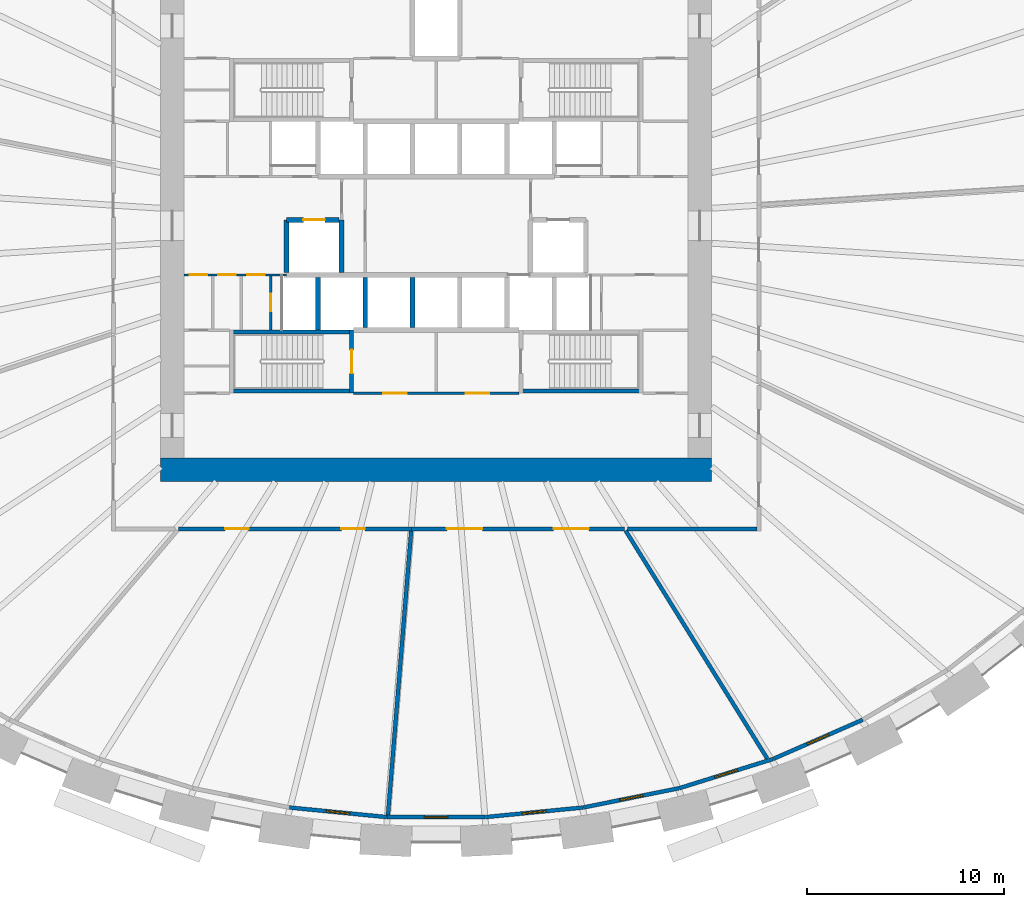
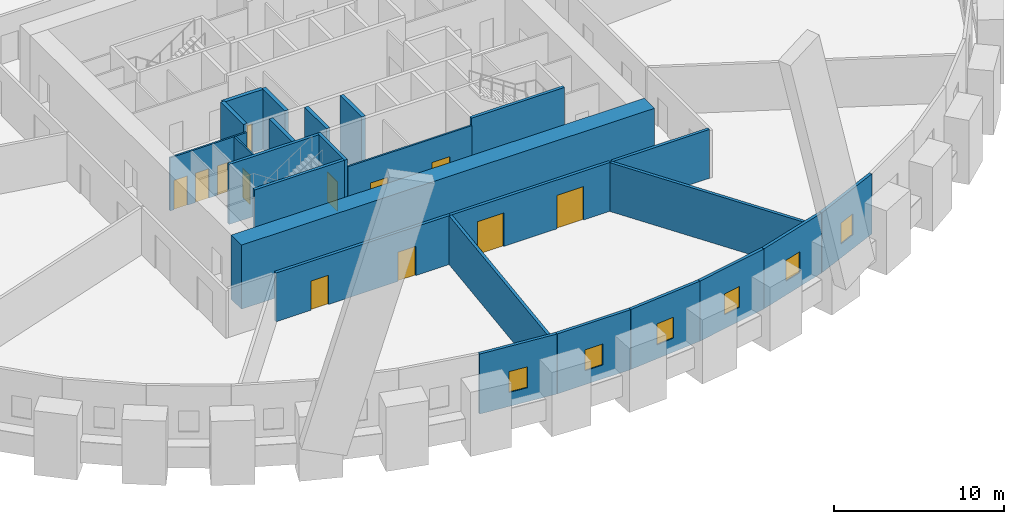
# One storey, part 4 of 9: 25 walls, 12 doors, 6 windows, 18 openings.
"""IFC4 building model written with IfcOpenShell, lengths in metres."""

from ifc_helpers import new_model, si_unit, direction, frame, frame_2d, origin, place, context, subcontext, project, spatial, rectangle, extrude, source, transform, mapped, material, layer, layer_set, type_object, element, fill, save


model = new_model("IFC4")

# Units and contexts
model_context = context("Model", 3, precision=1e-05, world=origin(), true_north=direction((0.0, 1.0)))
body_context = subcontext(model_context, "Body", "Model", "MODEL_VIEW")
ifc_project = project(units=[si_unit("LENGTHUNIT", "METRE"), si_unit("AREAUNIT", "SQUARE_METRE"), si_unit("VOLUMEUNIT", "CUBIC_METRE"), si_unit("PLANEANGLEUNIT", "RADIAN"), si_unit("MASSUNIT", "GRAM", prefix="KILO")], contexts=[model_context])

# Site, building, storey
site_placement = place(None, origin())
site = spatial("IfcSite", under=ifc_project, at=site_placement, CompositionType="ELEMENT")
building_placement = place(site_placement, origin())
building = spatial("IfcBuilding", under=site, at=building_placement, Name="Embergate Tower", CompositionType="ELEMENT")
storey_placement = place(building_placement, frame((0.0, 0.0, 53.60009765625)))
storey = spatial("IfcBuildingStorey", under=building, at=storey_placement, Name="L09", CompositionType="ELEMENT", Elevation=53.60009765625)

# Wall
ifc_material_1 = material(Name="Concrete C80", Category="concrete")
ifc_layer_1 = layer(ifc_material_1, 1.199951171875)
ifc_layer_set_1 = layer_set([ifc_layer_1], Name="Concrete C80")
wall_type_1 = type_object("IfcWallType", Name="Core outer wall C80 1200", PredefinedType="SHEAR", material=ifc_layer_set_1)
shared_shape_1 = source(origin(), body_context, "Body", "SweptSolid", [
    extrude(rectangle(XDim=28.0, YDim=1.199951171875, at=frame_2d((14.0, 0.0))), origin(), (0.0, 0.0, 1.0), 4.599853515625),
])
wall_1_placement = place(storey_placement, frame((-14.0, -12.39990234375, -0.300048828125), z_axis=(0.0, 0.0, 1.0), x_axis=(1.0, 0.0, 0.0)))
element("IfcWall", 1, at=wall_1_placement, inside=storey, type_object=wall_type_1, Name="CW-L09-S", PredefinedType="SHEAR", context=body_context, shape_type="MappedRepresentation", body=[
    mapped(shared_shape_1, transform((0.0, 0.0, 0.0))),
])

# Wall, opening, window
ifc_material_2 = material(Name="Terracotta louvre cladding on insulated backing", Category="masonry")
ifc_layer_2 = layer(ifc_material_2, 0.199951171875)
ifc_layer_set_2 = layer_set([ifc_layer_2], Name="Terracotta louvre cladding on insulated backing")
wall_type_2 = type_object("IfcWallType", Name="Terracotta louvre wall", PredefinedType="SOLIDWALL", material=ifc_layer_set_2)
shared_shape_2 = source(origin(), body_context, "Body", "SweptSolid", [
    extrude(rectangle(XDim=4.96240234375, YDim=0.199951171875, at=frame_2d((2.481201171875, 0.0))), origin(), (0.0, 0.0, 1.0), 4.2998046875),
])
wall_2_placement = place(storey_placement, frame((21.66650390625, -25.099609375, 0.0), z_axis=(0.0, 0.0, 1.0), x_axis=(-0.916221684268, -0.40067171759, 0.0)))
wall_2 = element("IfcWall", 2, at=wall_2_placement, inside=storey, type_object=wall_type_2, Name="Louvre wall 37", PredefinedType="SOLIDWALL", context=body_context, shape_type="MappedRepresentation", body=[
    mapped(shared_shape_2, transform((0.0, 0.0, 0.0))),
])
shared_shape_3 = source(origin(), body_context, "Body", "SweptSolid", [
    extrude(rectangle(XDim=1.199951171875, YDim=1.5, at=frame_2d((0.60009765625, 0.75))), frame((0.0, 0.10986328125, 0.0), z_axis=(0.0, -1.0, 0.0), x_axis=(1.0, 0.0, 0.0)), (0.0, 0.0, 1.0), 0.219970703125),
])
opening_1_placement = place(wall_2_placement, frame((1.881103515625, 0.0, 1.0)))
opening_1 = element("IfcOpeningElement", 3, at=opening_1_placement, cuts=wall_2, Name="Opening RW", PredefinedType="OPENING", context=body_context, shape_type="MappedRepresentation", body=[
    mapped(shared_shape_3, transform((0.0, 0.0, 0.0))),
])
ifc_material_3 = material(Name="Aluminium, thermally broken, triple glazed", Category="aluminium")
window_type = type_object("IfcWindowType", Name="Refuge operable window", PartitioningType="SINGLE_PANEL", PredefinedType="WINDOW", material=ifc_material_3)
shared_shape_4 = source(origin(), body_context, "Body", "SweptSolid", [
    extrude(rectangle(XDim=1.199951171875, YDim=1.5, at=frame_2d((0.60009765625, 0.75))), frame((0.0, 0.030029296875, 0.0), z_axis=(0.0, -1.0, 0.0), x_axis=(1.0, 0.0, 0.0)), (0.0, 0.0, 1.0), 0.06005859375),
])
window_1_placement = place(opening_1_placement, origin())
window_1 = element("IfcWindow", 4, at=window_1_placement, inside=storey, type_object=window_type, Name="Refuge window 37", OverallHeight=1.5, OverallWidth=1.199951171875, PartitioningType="SINGLE_PANEL", PredefinedType="WINDOW", context=body_context, shape_type="MappedRepresentation", body=[
    mapped(shared_shape_4, transform((0.0, 0.0, 0.0))),
])
fill(opening_1, window_1)

shared_shape_5 = source(origin(), body_context, "Body", "SweptSolid", [
    extrude(rectangle(XDim=4.965576171875, YDim=0.199951171875, at=frame_2d((2.48291015625, 0.0))), origin(), (0.0, 0.0, 1.0), 4.2998046875),
])
wall_3_placement = place(storey_placement, frame((17.10107421875, -27.0947265625, 0.0), z_axis=(0.0, 0.0, 1.0), x_axis=(-0.954765614981, -0.297359412916, 0.0)))
wall_3 = element("IfcWall", 5, at=wall_3_placement, inside=storey, type_object=wall_type_2, Name="Louvre wall 36", PredefinedType="SOLIDWALL", context=body_context, shape_type="MappedRepresentation", body=[
    mapped(shared_shape_5, transform((0.0, 0.0, 0.0))),
])
opening_2_placement = place(wall_3_placement, frame((1.8828125, 0.0, 1.0)))
opening_2 = element("IfcOpeningElement", 6, at=opening_2_placement, cuts=wall_3, Name="Opening RW", PredefinedType="OPENING", context=body_context, shape_type="MappedRepresentation", body=[
    mapped(shared_shape_3, transform((0.0, 0.0, 0.0))),
])
window_2_placement = place(opening_2_placement, origin())
window_2 = element("IfcWindow", 7, at=window_2_placement, inside=storey, type_object=window_type, Name="Refuge window 36", OverallHeight=1.5, OverallWidth=1.199951171875, PartitioningType="SINGLE_PANEL", PredefinedType="WINDOW", context=body_context, shape_type="MappedRepresentation", body=[
    mapped(shared_shape_4, transform((0.0, 0.0, 0.0))),
])
fill(opening_2, window_2)

shared_shape_6 = source(origin(), body_context, "Body", "SweptSolid", [
    extrude(rectangle(XDim=4.9677734375, YDim=0.199951171875, at=frame_2d((2.48388671875, 0.0))), origin(), (0.0, 0.0, 1.0), 4.2998046875),
])
wall_4_placement = place(storey_placement, frame((12.3408203125, -28.576171875, 0.0), z_axis=(0.0, 0.0, 1.0), x_axis=(-0.980478473898, -0.196626453515, 0.0)))
wall_4 = element("IfcWall", 8, at=wall_4_placement, inside=storey, type_object=wall_type_2, Name="Louvre wall 35", PredefinedType="SOLIDWALL", context=body_context, shape_type="MappedRepresentation", body=[
    mapped(shared_shape_6, transform((0.0, 0.0, 0.0))),
])
opening_3_placement = place(wall_4_placement, frame((1.8837890625, 0.0, 1.0)))
opening_3 = element("IfcOpeningElement", 9, at=opening_3_placement, cuts=wall_4, Name="Opening RW", PredefinedType="OPENING", context=body_context, shape_type="MappedRepresentation", body=[
    mapped(shared_shape_3, transform((0.0, 0.0, 0.0))),
])
window_3_placement = place(opening_3_placement, origin())
window_3 = element("IfcWindow", 10, at=window_3_placement, inside=storey, type_object=window_type, Name="Refuge window 35", OverallHeight=1.5, OverallWidth=1.199951171875, PartitioningType="SINGLE_PANEL", PredefinedType="WINDOW", context=body_context, shape_type="MappedRepresentation", body=[
    mapped(shared_shape_4, transform((0.0, 0.0, 0.0))),
])
fill(opening_3, window_3)

shared_shape_7 = source(origin(), body_context, "Body", "SweptSolid", [
    extrude(rectangle(XDim=4.96923828125, YDim=0.199951171875, at=frame_2d((2.484619140625, 0.0))), origin(), (0.0, 0.0, 1.0), 4.2998046875),
])
wall_5_placement = place(storey_placement, frame((-2.5048828125, -30.0419921875, 0.0), z_axis=(0.0, 0.0, 1.0), x_axis=(-0.995204077975, 0.097820464023, 0.0)))
wall_5 = element("IfcWall", 11, at=wall_5_placement, inside=storey, type_object=wall_type_2, Name="Louvre wall 32", PredefinedType="SOLIDWALL", context=body_context, shape_type="MappedRepresentation", body=[
    mapped(shared_shape_7, transform((0.0, 0.0, 0.0))),
])
opening_4_placement = place(wall_5_placement, frame((1.884521484375, 0.0, 1.0)))
opening_4 = element("IfcOpeningElement", 12, at=opening_4_placement, cuts=wall_5, Name="Opening RW", PredefinedType="OPENING", context=body_context, shape_type="MappedRepresentation", body=[
    mapped(shared_shape_3, transform((0.0, 0.0, 0.0))),
])
window_4_placement = place(opening_4_placement, origin())
window_4 = element("IfcWindow", 13, at=window_4_placement, inside=storey, type_object=window_type, Name="Refuge window 32", OverallHeight=1.5, OverallWidth=1.199951171875, PartitioningType="SINGLE_PANEL", PredefinedType="WINDOW", context=body_context, shape_type="MappedRepresentation", body=[
    mapped(shared_shape_4, transform((0.0, 0.0, 0.0))),
])
fill(opening_4, window_4)

wall_6_placement = place(storey_placement, frame((7.4501953125, -29.555908203125, 0.0), z_axis=(0.0, 0.0, 1.0), x_axis=(-0.995204077975, -0.097820464023, 0.0)))
wall_6 = element("IfcWall", 14, at=wall_6_placement, inside=storey, type_object=wall_type_2, Name="Louvre wall 34", PredefinedType="SOLIDWALL", context=body_context, shape_type="MappedRepresentation", body=[
    mapped(shared_shape_7, transform((0.0, 0.0, 0.0))),
])
opening_5_placement = place(wall_6_placement, frame((1.884521484375, 0.0, 1.0)))
opening_5 = element("IfcOpeningElement", 15, at=opening_5_placement, cuts=wall_6, Name="Opening RW", PredefinedType="OPENING", context=body_context, shape_type="MappedRepresentation", body=[
    mapped(shared_shape_3, transform((0.0, 0.0, 0.0))),
])
window_5_placement = place(opening_5_placement, origin())
window_5 = element("IfcWindow", 16, at=window_5_placement, inside=storey, type_object=window_type, Name="Refuge window 34", OverallHeight=1.5, OverallWidth=1.199951171875, PartitioningType="SINGLE_PANEL", PredefinedType="WINDOW", context=body_context, shape_type="MappedRepresentation", body=[
    mapped(shared_shape_4, transform((0.0, 0.0, 0.0))),
])
fill(opening_5, window_5)

shared_shape_8 = source(origin(), body_context, "Body", "SweptSolid", [
    extrude(rectangle(XDim=4.9697265625, YDim=0.199951171875, at=frame_2d((2.48486328125, 0.0))), origin(), (0.0, 0.0, 1.0), 4.2998046875),
])
wall_7_placement = place(storey_placement, frame((2.48486328125, -30.043212890625, 0.0), z_axis=(0.0, 0.0, 1.0), x_axis=(-1.0, 0.0, 0.0)))
wall_7 = element("IfcWall", 17, at=wall_7_placement, inside=storey, type_object=wall_type_2, Name="Louvre wall 33", PredefinedType="SOLIDWALL", context=body_context, shape_type="MappedRepresentation", body=[
    mapped(shared_shape_8, transform((0.0, 0.0, 0.0))),
])
opening_6_placement = place(wall_7_placement, frame((1.884765625, 0.0, 1.0)))
opening_6 = element("IfcOpeningElement", 18, at=opening_6_placement, cuts=wall_7, Name="Opening RW", PredefinedType="OPENING", context=body_context, shape_type="MappedRepresentation", body=[
    mapped(shared_shape_3, transform((0.0, 0.0, 0.0))),
])
window_6_placement = place(opening_6_placement, origin())
window_6 = element("IfcWindow", 19, at=window_6_placement, inside=storey, type_object=window_type, Name="Refuge window 33", OverallHeight=1.5, OverallWidth=1.199951171875, PartitioningType="SINGLE_PANEL", PredefinedType="WINDOW", context=body_context, shape_type="MappedRepresentation", body=[
    mapped(shared_shape_4, transform((0.0, 0.0, 0.0))),
])
fill(opening_6, window_6)

# Walls
ifc_material_4 = material(Name="Concrete C50", Category="concrete")
ifc_layer_3 = layer(ifc_material_4, 0.25)
ifc_layer_set_3 = layer_set([ifc_layer_3], Name="Concrete C50")
wall_type_3 = type_object("IfcWallType", Name="Hoistway wall reinforced concrete 250", PredefinedType="SHEAR", material=ifc_layer_set_3)
shared_shape_9 = source(origin(), body_context, "Body", "SweptSolid", [
    extrude(rectangle(XDim=2.675048828125, YDim=0.25, at=frame_2d((1.33740234375, 0.0))), origin(), (0.0, 0.0, 1.0), 4.2998046875),
])
for number, where, z_axis, x_axis, name in (
    (20, (-6.0, -5.300048828125, 0.0), (0.0, 0.0, 1.0), (0.0, 1.0, 0.0), "HW-1 wall"),
    (21, (-4.800048828125, 0.300048828125, 0.0), (0.0, 0.0, 1.0), (0.0, -1.0, 0.0), "HW-1 wall"),
):
    element("IfcWall", number, at=place(storey_placement, frame(where, z_axis=z_axis, x_axis=x_axis)), inside=storey, type_object=wall_type_3, Name=name, PredefinedType="SHEAR", context=body_context, shape_type="MappedRepresentation", body=[
        mapped(shared_shape_9, transform((0.0, 0.0, 0.0))),
    ])

# Wall, opening, door
wall_8_placement = place(storey_placement, frame((-4.925048828125, 0.300048828125, 0.0), z_axis=(0.0, 0.0, 1.0), x_axis=(-1.0, 0.0, 0.0)))
wall_8 = element("IfcWall", 22, at=wall_8_placement, inside=storey, type_object=wall_type_3, Name="HW-1 wall", PredefinedType="SHEAR", context=body_context, shape_type="MappedRepresentation", body=[
    mapped(shared_shape_9, transform((0.0, 0.0, 0.0))),
])
shared_shape_10 = source(origin(), body_context, "Body", "SweptSolid", [
    extrude(rectangle(XDim=1.10009765625, YDim=2.10009765625, at=frame_2d((0.550048828125, 1.050048828125))), frame((0.0, 0.135009765625, 0.0), z_axis=(0.0, -1.0, 0.0), x_axis=(1.0, 0.0, 0.0)), (0.0, 0.0, 1.0), 0.27001953125),
])
opening_7_placement = place(wall_8_placement, frame((0.72509765625, 0.0, 0.0)))
opening_7 = element("IfcOpeningElement", 23, at=opening_7_placement, cuts=wall_8, Name="Opening LD", PredefinedType="OPENING", context=body_context, shape_type="MappedRepresentation", body=[
    mapped(shared_shape_10, transform((0.0, 0.0, 0.0))),
])
ifc_material_5 = material(Name="Landing door sliding 1100")
door_type_1 = type_object("IfcDoorType", Name="Landing door sliding 1100", OperationType="SLIDING_TO_LEFT", PredefinedType="DOOR", material=ifc_material_5)
shared_shape_11 = source(origin(), body_context, "Body", "SweptSolid", [
    extrude(rectangle(XDim=1.10009765625, YDim=2.10009765625, at=frame_2d((0.550048828125, 1.050048828125))), frame((0.0, 0.02490234375, 0.0), z_axis=(0.0, -1.0, 0.0), x_axis=(1.0, 0.0, 0.0)), (0.0, 0.0, 1.0), 0.050048828125),
])
door_1_placement = place(opening_7_placement, origin())
door_1 = element("IfcDoor", 24, at=door_1_placement, inside=storey, type_object=door_type_1, Name="LD door", OperationType="SLIDING_TO_RIGHT", OverallHeight=2.10009765625, OverallWidth=1.10009765625, PredefinedType="DOOR", context=body_context, shape_type="MappedRepresentation", body=[
    mapped(shared_shape_11, transform((0.0, 0.0, 0.0))),
])
fill(opening_7, door_1)

# Walls
wall_9_placement = place(storey_placement, frame((-7.60009765625, 0.300048828125, 0.0), z_axis=(0.0, 0.0, 1.0), x_axis=(0.0, -1.0, 0.0)))
element("IfcWall", 25, at=wall_9_placement, inside=storey, type_object=wall_type_3, Name="HW-1 wall", PredefinedType="SHEAR", context=body_context, shape_type="MappedRepresentation", body=[
    mapped(shared_shape_9, transform((0.0, 0.0, 0.0))),
])
ifc_layer_4 = layer(ifc_material_4, 0.199951171875)
ifc_layer_set_4 = layer_set([ifc_layer_4], Name="Concrete C50")
wall_type_4 = type_object("IfcWallType", Name="Stair enclosure wall reinforced concrete 250", PredefinedType="SHEAR", material=ifc_layer_set_4)
shared_shape_12 = source(origin(), body_context, "Body", "SweptSolid", [
    extrude(rectangle(XDim=6.300048828125, YDim=0.199951171875, at=frame_2d((3.14990234375, 0.0))), origin(), (0.0, 0.0, 1.0), 4.2998046875),
])
for number, where, z_axis, x_axis, name in (
    (26, (-10.5, -5.39990234375, 0.0), (0.0, 0.0, 1.0), (1.0, 0.0, 0.0), "SE-1 wall"),
    (27, (-10.5, -8.39990234375, 0.0), (0.0, 0.0, 1.0), (1.0, 0.0, 0.0), "SE-1 wall"),
    (28, (4.199951171875, -8.39990234375, 0.0), (0.0, 0.0, 1.0), (1.0, 0.0, 0.0), "SE-1 wall"),
):
    element("IfcWall", number, at=place(storey_placement, frame(where, z_axis=z_axis, x_axis=x_axis)), inside=storey, type_object=wall_type_4, Name=name, PredefinedType="SHEAR", context=body_context, shape_type="MappedRepresentation", body=[
        mapped(shared_shape_12, transform((0.0, 0.0, 0.0))),
    ])

# Wall, opening, door
ifc_material_6 = material(Name="Core partition blockwork 120")
ifc_layer_5 = layer(ifc_material_6, 0.1201171875)
ifc_layer_set_5 = layer_set([ifc_layer_5], Name="Core partition blockwork 120")
wall_type_5 = type_object("IfcWallType", Name="Core partition blockwork 120", PredefinedType="PARTITIONING", material=ifc_layer_set_5)
shared_shape_13 = source(origin(), body_context, "Body", "SweptSolid", [
    extrude(rectangle(XDim=2.739990234375, YDim=0.1201171875, at=frame_2d((1.3701171875, 0.0))), origin(), (0.0, 0.0, 1.0), 3.7998046875),
])
wall_10_placement = place(storey_placement, frame((-8.39990234375, -2.56005859375, 0.0), z_axis=(0.0, 0.0, 1.0), x_axis=(0.0, -1.0, 0.0)))
wall_10 = element("IfcWall", 29, at=wall_10_placement, inside=storey, type_object=wall_type_5, Name="IP-3 wall", PredefinedType="PARTITIONING", context=body_context, shape_type="MappedRepresentation", body=[
    mapped(shared_shape_13, transform((0.0, 0.0, 0.0))),
])
shared_shape_14 = source(origin(), body_context, "Body", "SweptSolid", [
    extrude(rectangle(XDim=0.89990234375, YDim=2.10009765625, at=frame_2d((0.449951171875, 1.050048828125))), frame((0.0, 0.070068359375, 0.0), z_axis=(0.0, -1.0, 0.0), x_axis=(1.0, 0.0, 0.0)), (0.0, 0.0, 1.0), 0.14013671875),
])
opening_8_placement = place(wall_10_placement, frame((0.889892578125, 0.0, 0.0)))
opening_8 = element("IfcOpeningElement", 30, at=opening_8_placement, cuts=wall_10, Name="Opening ID-1", PredefinedType="OPENING", context=body_context, shape_type="MappedRepresentation", body=[
    mapped(shared_shape_14, transform((0.0, 0.0, 0.0))),
])
ifc_material_7 = material(Name="Interior door 900")
door_type_2 = type_object("IfcDoorType", Name="Interior door 900", OperationType="SINGLE_SWING_LEFT", PredefinedType="DOOR", material=ifc_material_7)
shared_shape_15 = source(origin(), body_context, "Body", "SweptSolid", [
    extrude(rectangle(XDim=0.89990234375, YDim=2.10009765625, at=frame_2d((0.449951171875, 1.050048828125))), frame((0.0, 0.02490234375, 0.0), z_axis=(0.0, -1.0, 0.0), x_axis=(1.0, 0.0, 0.0)), (0.0, 0.0, 1.0), 0.050048828125),
])
door_2_placement = place(opening_8_placement, origin())
door_2 = element("IfcDoor", 31, at=door_2_placement, inside=storey, type_object=door_type_2, Name="ID-1 door", OperationType="SINGLE_SWING_RIGHT", OverallHeight=2.10009765625, OverallWidth=0.89990234375, PredefinedType="DOOR", context=body_context, shape_type="MappedRepresentation", body=[
    mapped(shared_shape_15, transform((0.0, 0.0, 0.0))),
])
fill(opening_8, door_2)

# Walls
shared_shape_16 = source(origin(), body_context, "Body", "SweptSolid", [
    extrude(rectangle(XDim=2.550048828125, YDim=0.25, at=frame_2d((1.27490234375, 0.0))), origin(), (0.0, 0.0, 1.0), 4.2998046875),
])
for number, where, z_axis, x_axis, name in (
    (32, (-3.60009765625, -5.175048828125, 0.0), (0.0, 0.0, 1.0), (0.0, 1.0, 0.0), "HW-1 wall"),
    (33, (-1.199951171875, -5.175048828125, 0.0), (0.0, 0.0, 1.0), (0.0, 1.0, 0.0), "HW-1 wall"),
):
    element("IfcWall", number, at=place(storey_placement, frame(where, z_axis=z_axis, x_axis=x_axis)), inside=storey, type_object=wall_type_3, Name=name, PredefinedType="SHEAR", context=body_context, shape_type="MappedRepresentation", body=[
        mapped(shared_shape_16, transform((0.0, 0.0, 0.0))),
    ])

# Wall, openings, doors
shared_shape_17 = source(origin(), body_context, "Body", "SweptSolid", [
    extrude(rectangle(XDim=5.199951171875, YDim=0.1201171875, at=frame_2d((2.60009765625, 0.0))), origin(), (0.0, 0.0, 1.0), 3.7998046875),
])
wall_11_placement = place(storey_placement, frame((-7.60009765625, -2.5, 0.0), z_axis=(0.0, 0.0, 1.0), x_axis=(-1.0, 0.0, 0.0)))
wall_11 = element("IfcWall", 34, at=wall_11_placement, inside=storey, type_object=wall_type_5, Name="IP-3 wall", PredefinedType="PARTITIONING", context=body_context, shape_type="MappedRepresentation", body=[
    mapped(shared_shape_17, transform((0.0, 0.0, 0.0))),
])
opening_9_placement = place(wall_11_placement, frame((4.02392578125, 0.0, 0.0)))
opening_9 = element("IfcOpeningElement", 35, at=opening_9_placement, cuts=wall_11, Name="Opening ID-1", PredefinedType="OPENING", context=body_context, shape_type="MappedRepresentation", body=[
    mapped(shared_shape_14, transform((0.0, 0.0, 0.0))),
])
opening_10_placement = place(wall_11_placement, frame((2.572021484375, 0.0, 0.0)))
opening_10 = element("IfcOpeningElement", 36, at=opening_10_placement, cuts=wall_11, Name="Opening ID-1", PredefinedType="OPENING", context=body_context, shape_type="MappedRepresentation", body=[
    mapped(shared_shape_14, transform((0.0, 0.0, 0.0))),
])
opening_11_placement = place(wall_11_placement, frame((1.097900390625, 0.0, 0.0)))
opening_11 = element("IfcOpeningElement", 37, at=opening_11_placement, cuts=wall_11, Name="Opening ID-1", PredefinedType="OPENING", context=body_context, shape_type="MappedRepresentation", body=[
    mapped(shared_shape_14, transform((0.0, 0.0, 0.0))),
])
door_3_placement = place(opening_9_placement, origin())
door_3 = element("IfcDoor", 38, at=door_3_placement, inside=storey, type_object=door_type_2, Name="ID-1 door", OperationType="SINGLE_SWING_RIGHT", OverallHeight=2.10009765625, OverallWidth=0.89990234375, PredefinedType="DOOR", context=body_context, shape_type="MappedRepresentation", body=[
    mapped(shared_shape_15, transform((0.0, 0.0, 0.0))),
])
fill(opening_9, door_3)
door_4_placement = place(opening_10_placement, origin())
door_4 = element("IfcDoor", 39, at=door_4_placement, inside=storey, type_object=door_type_2, Name="ID-1 door", OperationType="SINGLE_SWING_RIGHT", OverallHeight=2.10009765625, OverallWidth=0.89990234375, PredefinedType="DOOR", context=body_context, shape_type="MappedRepresentation", body=[
    mapped(shared_shape_15, transform((0.0, 0.0, 0.0))),
])
fill(opening_10, door_4)
door_5_placement = place(opening_11_placement, origin())
door_5 = element("IfcDoor", 40, at=door_5_placement, inside=storey, type_object=door_type_2, Name="ID-1 door", OperationType="SINGLE_SWING_RIGHT", OverallHeight=2.10009765625, OverallWidth=0.89990234375, PredefinedType="DOOR", context=body_context, shape_type="MappedRepresentation", body=[
    mapped(shared_shape_15, transform((0.0, 0.0, 0.0))),
])
fill(opening_11, door_5)

# Wall, opening, door
shared_shape_18 = source(origin(), body_context, "Body", "SweptSolid", [
    extrude(rectangle(XDim=3.199951171875, YDim=0.199951171875, at=frame_2d((1.60009765625, 0.0))), origin(), (0.0, 0.0, 1.0), 4.2998046875),
])
wall_12_placement = place(storey_placement, frame((-4.300048828125, -8.5, 0.0), z_axis=(0.0, 0.0, 1.0), x_axis=(0.0, 1.0, 0.0)))
wall_12 = element("IfcWall", 41, at=wall_12_placement, inside=storey, type_object=wall_type_4, Name="SE-1 wall", PredefinedType="SHEAR", context=body_context, shape_type="MappedRepresentation", body=[
    mapped(shared_shape_18, transform((0.0, 0.0, 0.0))),
])
shared_shape_19 = source(origin(), body_context, "Body", "SweptSolid", [
    extrude(rectangle(XDim=1.199951171875, YDim=2.10009765625, at=frame_2d((0.60009765625, 1.050048828125))), frame((0.0, 0.10986328125, 0.0), z_axis=(0.0, -1.0, 0.0), x_axis=(1.0, 0.0, 0.0)), (0.0, 0.0, 1.0), 0.219970703125),
])
opening_12_placement = place(wall_12_placement, frame((1.0, 0.0, 0.0)))
opening_12 = element("IfcOpeningElement", 42, at=opening_12_placement, cuts=wall_12, Name="Opening IF-2", PredefinedType="OPENING", context=body_context, shape_type="MappedRepresentation", body=[
    mapped(shared_shape_19, transform((0.0, 0.0, 0.0))),
])
ifc_material_8 = material(Name="Stair enclosure door 1200")
door_type_3 = type_object("IfcDoorType", Name="Stair enclosure door 1200", OperationType="SINGLE_SWING_LEFT", PredefinedType="DOOR", material=ifc_material_8)
shared_shape_20 = source(origin(), body_context, "Body", "SweptSolid", [
    extrude(rectangle(XDim=1.199951171875, YDim=2.10009765625, at=frame_2d((0.60009765625, 1.050048828125))), frame((0.0, 0.02490234375, 0.0), z_axis=(0.0, -1.0, 0.0), x_axis=(1.0, 0.0, 0.0)), (0.0, 0.0, 1.0), 0.050048828125),
])
door_6_placement = place(opening_12_placement, origin())
door_6 = element("IfcDoor", 43, at=door_6_placement, inside=storey, type_object=door_type_3, Name="IF-2 door", OperationType="SINGLE_SWING_RIGHT", OverallHeight=2.10009765625, OverallWidth=1.199951171875, PredefinedType="DOOR", context=body_context, shape_type="MappedRepresentation", body=[
    mapped(shared_shape_20, transform((0.0, 0.0, 0.0))),
])
fill(opening_12, door_6)

# Wall, openings, doors
shared_shape_21 = source(origin(), body_context, "Body", "SweptSolid", [
    extrude(rectangle(XDim=8.39990234375, YDim=0.1201171875, at=frame_2d((4.199951171875, 0.0))), origin(), (0.0, 0.0, 1.0), 3.7998046875),
])
wall_13_placement = place(storey_placement, frame((-4.199951171875, -8.5, 0.0), z_axis=(0.0, 0.0, 1.0), x_axis=(1.0, 0.0, 0.0)))
wall_13 = element("IfcWall", 44, at=wall_13_placement, inside=storey, type_object=wall_type_5, Name="IP-3 wall", PredefinedType="PARTITIONING", context=body_context, shape_type="MappedRepresentation", body=[
    mapped(shared_shape_21, transform((0.0, 0.0, 0.0))),
])
shared_shape_22 = source(origin(), body_context, "Body", "SweptSolid", [
    extrude(rectangle(XDim=1.199951171875, YDim=2.10009765625, at=frame_2d((0.60009765625, 1.050048828125))), frame((0.0, 0.070068359375, 0.0), z_axis=(0.0, -1.0, 0.0), x_axis=(1.0, 0.0, 0.0)), (0.0, 0.0, 1.0), 0.14013671875),
])
opening_13_placement = place(wall_13_placement, frame((1.5, 0.0, 0.0)))
opening_13 = element("IfcOpeningElement", 45, at=opening_13_placement, cuts=wall_13, Name="Opening IF-3f", PredefinedType="OPENING", context=body_context, shape_type="MappedRepresentation", body=[
    mapped(shared_shape_22, transform((0.0, 0.0, 0.0))),
])
opening_14_placement = place(wall_13_placement, frame((5.699951171875, 0.0, 0.0)))
opening_14 = element("IfcOpeningElement", 46, at=opening_14_placement, cuts=wall_13, Name="Opening IF-3f", PredefinedType="OPENING", context=body_context, shape_type="MappedRepresentation", body=[
    mapped(shared_shape_22, transform((0.0, 0.0, 0.0))),
])
ifc_material_9 = material(Name="Lobby fire door pair 1200")
door_type_4 = type_object("IfcDoorType", Name="Lobby fire door pair 1200", OperationType="DOUBLE_DOOR_SINGLE_SWING", PredefinedType="DOOR", material=ifc_material_9)
door_7_placement = place(opening_13_placement, origin())
door_7 = element("IfcDoor", 47, at=door_7_placement, inside=storey, type_object=door_type_4, Name="IF-3 door", OperationType="DOUBLE_DOOR_SINGLE_SWING", OverallHeight=2.10009765625, OverallWidth=1.199951171875, PredefinedType="DOOR", context=body_context, shape_type="MappedRepresentation", body=[
    mapped(shared_shape_20, transform((0.0, 0.0, 0.0))),
])
fill(opening_13, door_7)
door_8_placement = place(opening_14_placement, origin())
door_8 = element("IfcDoor", 48, at=door_8_placement, inside=storey, type_object=door_type_4, Name="IF-3 door", OperationType="DOUBLE_DOOR_SINGLE_SWING", OverallHeight=2.10009765625, OverallWidth=1.199951171875, PredefinedType="DOOR", context=body_context, shape_type="MappedRepresentation", body=[
    mapped(shared_shape_20, transform((0.0, 0.0, 0.0))),
])
fill(opening_14, door_8)

ifc_material_10 = material(Name="Blockwork, plastered", Category="masonry")
ifc_layer_6 = layer(ifc_material_10, 0.199951171875)
ifc_layer_set_6 = layer_set([ifc_layer_6], Name="Blockwork, plastered")
wall_type_6 = type_object("IfcWallType", Name="Fire partition wall 200 block", PredefinedType="PARTITIONING", material=ifc_layer_set_6)
shared_shape_23 = source(origin(), body_context, "Body", "SweptSolid", [
    extrude(rectangle(XDim=11.822998046875, YDim=0.199951171875, at=frame_2d((5.91162109375, 0.0))), origin(), (0.0, 0.0, 1.0), 3.5),
])
wall_14_placement = place(storey_placement, frame((-1.259033203125, -15.39990234375, 0.0), z_axis=(0.0, 0.0, 1.0), x_axis=(-1.0, 0.0, 0.0)))
wall_14 = element("IfcWall", 49, at=wall_14_placement, inside=storey, type_object=wall_type_6, Name="Partition 012", PredefinedType="PARTITIONING", context=body_context, shape_type="MappedRepresentation", body=[
    mapped(shared_shape_23, transform((0.0, 0.0, 0.0))),
])
opening_15_placement = place(wall_14_placement, frame((2.35595703125, 0.0, 0.0)))
opening_15 = element("IfcOpeningElement", 50, at=opening_15_placement, cuts=wall_14, Name="Opening DS-147", PredefinedType="OPENING", context=body_context, shape_type="MappedRepresentation", body=[
    mapped(shared_shape_19, transform((0.0, 0.0, 0.0))),
])
opening_16_placement = place(wall_14_placement, frame((8.26708984375, 0.0, 0.0)))
opening_16 = element("IfcOpeningElement", 51, at=opening_16_placement, cuts=wall_14, Name="Opening DS-148", PredefinedType="OPENING", context=body_context, shape_type="MappedRepresentation", body=[
    mapped(shared_shape_19, transform((0.0, 0.0, 0.0))),
])
ifc_material_11 = material(Name="Timber door leaf, steel frame", Category="steel")
door_type_5 = type_object("IfcDoorType", Name="Plant door 1200x2100", OperationType="SINGLE_SWING_LEFT", PredefinedType="DOOR", material=ifc_material_11)
shared_shape_24 = source(origin(), body_context, "Body", "SweptSolid", [
    extrude(rectangle(XDim=1.199951171875, YDim=2.10009765625, at=frame_2d((0.60009765625, 1.050048828125))), frame((0.0, 0.02490234375, 0.0), z_axis=(0.0, -1.0, 0.0), x_axis=(1.0, 0.0, 0.0)), (0.0, 0.0, 1.0), 0.050048828125),
])
door_9_placement = place(opening_15_placement, origin())
door_9 = element("IfcDoor", 52, at=door_9_placement, inside=storey, type_object=door_type_5, Name="Door to Transformer room", OperationType="SINGLE_SWING_LEFT", OverallHeight=2.10009765625, OverallWidth=1.199951171875, PredefinedType="DOOR", context=body_context, shape_type="MappedRepresentation", body=[
    mapped(shared_shape_24, transform((0.0, 0.0, 0.0))),
])
fill(opening_15, door_9)
door_10_placement = place(opening_16_placement, origin())
door_10 = element("IfcDoor", 53, at=door_10_placement, inside=storey, type_object=door_type_5, Name="Door to Transformer room", OperationType="SINGLE_SWING_LEFT", OverallHeight=2.10009765625, OverallWidth=1.199951171875, PredefinedType="DOOR", context=body_context, shape_type="MappedRepresentation", body=[
    mapped(shared_shape_24, transform((0.0, 0.0, 0.0))),
])
fill(opening_16, door_10)

# Wall
shared_shape_25 = source(origin(), body_context, "Body", "SweptSolid", [
    extrude(rectangle(XDim=14.50341796875, YDim=0.199951171875, at=frame_2d((7.251708984375, 0.0))), origin(), (0.0, 0.0, 1.0), 3.5),
])
wall_15_placement = place(storey_placement, frame((-1.26708984375, -15.5, 0.0), z_axis=(0.0, 0.0, 1.0), x_axis=(-0.081490665819, -0.996674104903, 0.0)))
element("IfcWall", 54, at=wall_15_placement, inside=storey, type_object=wall_type_6, Name="Partition 013", PredefinedType="PARTITIONING", context=body_context, shape_type="MappedRepresentation", body=[
    mapped(shared_shape_25, transform((0.0, 0.0, 0.0))),
])

# Wall, openings, doors
shared_shape_26 = source(origin(), body_context, "Body", "SweptSolid", [
    extrude(rectangle(XDim=10.8291015625, YDim=0.199951171875, at=frame_2d((5.41455078125, 0.0))), origin(), (0.0, 0.0, 1.0), 3.5),
])
wall_16_placement = place(storey_placement, frame((9.570068359375, -15.39990234375, 0.0), z_axis=(0.0, 0.0, 1.0), x_axis=(-1.0, 0.0, 0.0)))
wall_16 = element("IfcWall", 55, at=wall_16_placement, inside=storey, type_object=wall_type_6, Name="Partition 016", PredefinedType="PARTITIONING", context=body_context, shape_type="MappedRepresentation", body=[
    mapped(shared_shape_26, transform((0.0, 0.0, 0.0))),
])
shared_shape_27 = source(origin(), body_context, "Body", "SweptSolid", [
    extrude(rectangle(XDim=1.800048828125, YDim=2.39990234375, at=frame_2d((0.89990234375, 1.199951171875))), frame((0.0, 0.10986328125, 0.0), z_axis=(0.0, -1.0, 0.0), x_axis=(1.0, 0.0, 0.0)), (0.0, 0.0, 1.0), 0.219970703125),
])
opening_17_placement = place(wall_16_placement, frame((1.806884765625, 0.0, 0.0)))
opening_17 = element("IfcOpeningElement", 56, at=opening_17_placement, cuts=wall_16, Name="Opening DS-149", PredefinedType="OPENING", context=body_context, shape_type="MappedRepresentation", body=[
    mapped(shared_shape_27, transform((0.0, 0.0, 0.0))),
])
opening_18_placement = place(wall_16_placement, frame((7.221923828125, 0.0, 0.0)))
opening_18 = element("IfcOpeningElement", 57, at=opening_18_placement, cuts=wall_16, Name="Opening DS-150", PredefinedType="OPENING", context=body_context, shape_type="MappedRepresentation", body=[
    mapped(shared_shape_27, transform((0.0, 0.0, 0.0))),
])
door_type_6 = type_object("IfcDoorType", Name="Double door 1800x2400", OperationType="DOUBLE_DOOR_SINGLE_SWING", PredefinedType="DOOR", material=ifc_material_11)
shared_shape_28 = source(origin(), body_context, "Body", "SweptSolid", [
    extrude(rectangle(XDim=1.800048828125, YDim=2.39990234375, at=frame_2d((0.89990234375, 1.199951171875))), frame((0.0, 0.02490234375, 0.0), z_axis=(0.0, -1.0, 0.0), x_axis=(1.0, 0.0, 0.0)), (0.0, 0.0, 1.0), 0.050048828125),
])
door_11_placement = place(opening_17_placement, origin())
door_11 = element("IfcDoor", 58, at=door_11_placement, inside=storey, type_object=door_type_6, Name="Door to Refuge area", OperationType="SINGLE_SWING_LEFT", OverallHeight=2.39990234375, OverallWidth=1.800048828125, PredefinedType="DOOR", context=body_context, shape_type="MappedRepresentation", body=[
    mapped(shared_shape_28, transform((0.0, 0.0, 0.0))),
])
fill(opening_17, door_11)
door_12_placement = place(opening_18_placement, origin())
door_12 = element("IfcDoor", 59, at=door_12_placement, inside=storey, type_object=door_type_6, Name="Door to Refuge area", OperationType="SINGLE_SWING_LEFT", OverallHeight=2.39990234375, OverallWidth=1.800048828125, PredefinedType="DOOR", context=body_context, shape_type="MappedRepresentation", body=[
    mapped(shared_shape_28, transform((0.0, 0.0, 0.0))),
])
fill(opening_18, door_12)

# Walls
shared_shape_29 = source(origin(), body_context, "Body", "SweptSolid", [
    extrude(rectangle(XDim=13.640869140625, YDim=0.199951171875, at=frame_2d((6.8203125, 0.0))), origin(), (0.0, 0.0, 1.0), 3.5),
])
wall_17_placement = place(storey_placement, frame((9.623046875, -15.485107421875, 0.0), z_axis=(0.0, 0.0, 1.0), x_axis=(0.527822118956, -0.849354938021, 0.0)))
element("IfcWall", 60, at=wall_17_placement, inside=storey, type_object=wall_type_6, Name="Partition 017", PredefinedType="PARTITIONING", context=body_context, shape_type="MappedRepresentation", body=[
    mapped(shared_shape_29, transform((0.0, 0.0, 0.0))),
])
shared_shape_30 = source(origin(), body_context, "Body", "SweptSolid", [
    extrude(rectangle(XDim=6.570068359375, YDim=0.199951171875, at=frame_2d((3.28515625, 0.0))), origin(), (0.0, 0.0, 1.0), 3.5),
])
wall_18_placement = place(storey_placement, frame((16.300048828125, -15.39990234375, 0.0), z_axis=(0.0, 0.0, 1.0), x_axis=(-1.0, 0.0, 0.0)))
element("IfcWall", 61, at=wall_18_placement, inside=storey, type_object=wall_type_6, Name="Partition 018", PredefinedType="PARTITIONING", context=body_context, shape_type="MappedRepresentation", body=[
    mapped(shared_shape_30, transform((0.0, 0.0, 0.0))),
])

save(model, "model.ifc")
